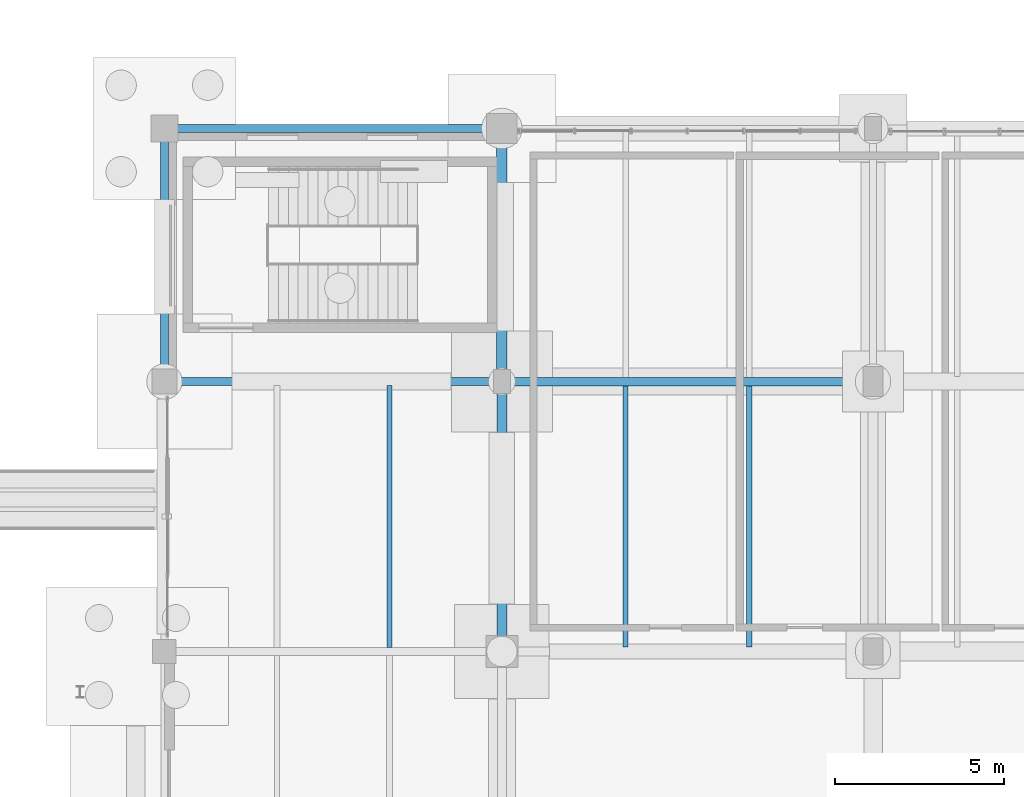
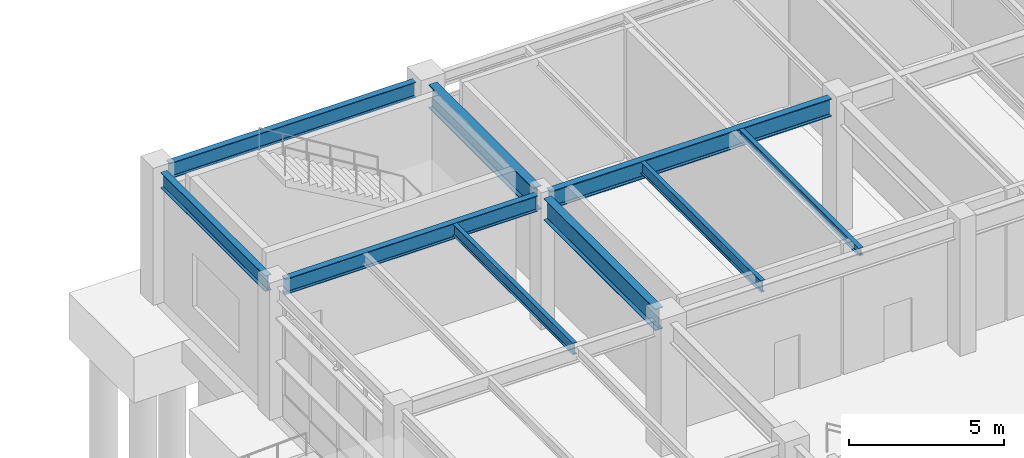
# One storey, part 37 of 203: 9 beams.
"""IFC4 building model written with IfcOpenShell, lengths in metres."""

from ifc_helpers import new_model, si_unit, direction, frame, origin, origin_2d, place, context, subcontext, project, spatial, i_section, extrude, material, material_profile, profile_set, type_object, element, save


model = new_model("IFC4")

# Units and contexts
model_context = context("Model", 3, precision=1e-05, world=origin(), true_north=direction((0.0, 1.0)))
body_context = subcontext(model_context, "Body", "Model", "MODEL_VIEW")
ifc_project = project(units=[si_unit("LENGTHUNIT", "METRE"), si_unit("AREAUNIT", "SQUARE_METRE"), si_unit("VOLUMEUNIT", "CUBIC_METRE"), si_unit("PLANEANGLEUNIT", "RADIAN"), si_unit("MASSUNIT", "GRAM", prefix="KILO"), si_unit("THERMODYNAMICTEMPERATUREUNIT", "KELVIN"), si_unit("POWERUNIT", "WATT")], contexts=[model_context])

# Site, building, storey
site_placement = place(None, origin())
site = spatial("IfcSite", under=ifc_project, at=site_placement, CompositionType="ELEMENT")
building_placement = place(site_placement, origin())
building = spatial("IfcBuilding", under=site, at=building_placement, Name="Tepalcoro Natatorium and Aquatics Centre", CompositionType="ELEMENT")
storey_placement = place(building_placement, origin())
storey = spatial("IfcBuildingStorey", under=building, at=storey_placement, Name="L00", CompositionType="ELEMENT", Elevation=0.0)

# Beams
ifc_material = material(Name="Steel ASTM A992 Grade 50 (Fy 345 MPa)", Category="steel")
ifc_material_profile_1 = material_profile(ifc_material, i_section(OverallWidth=0.22998046875, OverallDepth=0.616943359375, WebThickness=0.012939453125, FlangeThickness=0.02197265625, FilletRadius=0.013916015625, at=origin_2d()), Name="W24X94")
ifc_profile_set_1 = profile_set([ifc_material_profile_1], Name="Steel ASTM A992 Grade 50 (Fy 345 MPa)")
beam_type_1 = type_object("IfcBeamType", Name="BM_W24x94", PredefinedType="BEAM", material=ifc_profile_set_1)
beam_1_placement = place(storey_placement, frame((0.360107421875, 44.0, 4.83642578125), z_axis=(1.0, 0.0, 0.0), x_axis=(0.0, 1.0, 0.0)))
element("IfcBeam", 1, at=beam_1_placement, inside=storey, type_object=beam_type_1, Name="V3 L00 Grid Girder X", PredefinedType="BEAM", context=body_context, shape_type="SweptSolid", body=[
    extrude(i_section(OverallWidth=0.22998046875, OverallDepth=0.616943359375, WebThickness=0.012939453125, FlangeThickness=0.02197265625, FilletRadius=0.013916015625, at=origin_2d()), origin(), (0.0, 0.0, 1.0), 9.40478515625),
])
ifc_material_profile_2 = material_profile(ifc_material, i_section(OverallWidth=0.25390625, OverallDepth=0.700927734375, WebThickness=0.014892578125, FlangeThickness=0.028076171875, FilletRadius=0.013916015625, at=origin_2d()), Name="W27X129")
ifc_profile_set_2 = profile_set([ifc_material_profile_2], Name="Steel ASTM A992 Grade 50 (Fy 345 MPa)")
beam_type_2 = type_object("IfcBeamType", Name="BM_W27x129", PredefinedType="BEAM", material=ifc_profile_set_2)
beam_2_placement = place(storey_placement, frame((10.235107421875, 44.0, 4.79443359375), z_axis=(1.0, 0.0, 0.0), x_axis=(0.0, 1.0, 0.0)))
element("IfcBeam", 2, at=beam_2_placement, inside=storey, type_object=beam_type_2, Name="V3 L00 Grid Girder X", PredefinedType="BEAM", context=body_context, shape_type="SweptSolid", body=[
    extrude(i_section(OverallWidth=0.25390625, OverallDepth=0.700927734375, WebThickness=0.014892578125, FlangeThickness=0.028076171875, FilletRadius=0.013916015625, at=origin_2d()), origin(), (0.0, 0.0, 1.0), 10.47998046875),
])
ifc_material_profile_3 = material_profile(ifc_material, i_section(OverallWidth=0.2919921875, OverallDepth=0.85888671875, WebThickness=0.01708984375, FlangeThickness=0.031005859375, FilletRadius=0.013916015625, at=origin_2d()), Name="W33X169")
ifc_profile_set_3 = profile_set([ifc_material_profile_3], Name="Steel ASTM A992 Grade 50 (Fy 345 MPa)")
beam_type_3 = type_object("IfcBeamType", Name="BM_W33x169", PredefinedType="BEAM", material=ifc_profile_set_3)
beam_3_placement = place(storey_placement, frame((10.0, 36.4599609375, 4.715576171875), z_axis=(0.0, 1.0, 0.0), x_axis=(-1.0, 0.0, 0.0)))
element("IfcBeam", 3, at=beam_3_placement, inside=storey, type_object=beam_type_3, Name="V3 L00 Grid Girder Y", PredefinedType="BEAM", context=body_context, shape_type="SweptSolid", body=[
    extrude(i_section(OverallWidth=0.2919921875, OverallDepth=0.85888671875, WebThickness=0.01708984375, FlangeThickness=0.031005859375, FilletRadius=0.013916015625, at=origin_2d()), origin(), (0.0, 0.0, 1.0), 7.205078125),
])
ifc_material_profile_4 = material_profile(ifc_material, i_section(OverallWidth=0.31005859375, OverallDepth=0.931884765625, WebThickness=0.02099609375, FlangeThickness=0.034912109375, FilletRadius=0.013916015625, at=origin_2d()), Name="W36X210")
ifc_profile_set_4 = profile_set([ifc_material_profile_4], Name="Steel ASTM A992 Grade 50 (Fy 345 MPa)")
beam_type_4 = type_object("IfcBeamType", Name="BM_W36x210", PredefinedType="BEAM", material=ifc_profile_set_4)
beam_4_placement = place(storey_placement, frame((10.0, 44.3349609375, 4.678955078125), z_axis=(0.0, 1.0, 0.0), x_axis=(-1.0, 0.0, 0.0)))
element("IfcBeam", 4, at=beam_4_placement, inside=storey, type_object=beam_type_4, Name="V3 L00 Grid Girder Y", PredefinedType="BEAM", context=body_context, shape_type="SweptSolid", body=[
    extrude(i_section(OverallWidth=0.31005859375, OverallDepth=0.931884765625, WebThickness=0.02099609375, FlangeThickness=0.034912109375, FilletRadius=0.013916015625, at=origin_2d()), origin(), (0.0, 0.0, 1.0), 6.72998046875),
])
ifc_material_profile_5 = material_profile(ifc_material, i_section(OverallWidth=0.1650390625, OverallDepth=0.31005859375, WebThickness=0.006103515625, FlangeThickness=0.010009765625, FilletRadius=0.013916015625, at=origin_2d()), Name="W12X26")
ifc_profile_set_5 = profile_set([ifc_material_profile_5], Name="Steel ASTM A992 Grade 50 (Fy 345 MPa)")
beam_type_5 = type_object("IfcBeamType", Name="JS_W12x26", PredefinedType="JOIST", material=ifc_profile_set_5)
beam_5_placement = place(storey_placement, frame((17.333251953125, 36.126953125, 4.989990234375), z_axis=(0.0, 1.0, 0.0), x_axis=(-1.0, 0.0, 0.0)))
element("IfcBeam", 5, at=beam_5_placement, inside=storey, type_object=beam_type_5, Name="V3 L00 Floor Joist", PredefinedType="JOIST", context=body_context, shape_type="SweptSolid", body=[
    extrude(i_section(OverallWidth=0.1650390625, OverallDepth=0.31005859375, WebThickness=0.006103515625, FlangeThickness=0.010009765625, FilletRadius=0.013916015625, at=origin_2d()), origin(), (0.0, 0.0, 1.0), 7.74609375),
])
ifc_material_profile_6 = material_profile(ifc_material, i_section(OverallWidth=0.153076171875, OverallDepth=0.455078125, WebThickness=0.008056640625, FlangeThickness=0.012939453125, FilletRadius=0.013916015625, at=origin_2d()), Name="W18X40")
ifc_profile_set_6 = profile_set([ifc_material_profile_6], Name="Steel ASTM A992 Grade 50 (Fy 345 MPa)")
beam_type_6 = type_object("IfcBeamType", Name="JS_W18x40", PredefinedType="JOIST", material=ifc_profile_set_6)
beam_6_placement = place(storey_placement, frame((6.666748046875, 36.114013671875, 4.91748046875), z_axis=(0.0, 1.0, 0.0), x_axis=(-1.0, 0.0, 0.0)))
element("IfcBeam", 6, at=beam_6_placement, inside=storey, type_object=beam_type_6, Name="V3 L00 Floor Joist", PredefinedType="JOIST", context=body_context, shape_type="SweptSolid", body=[
    extrude(i_section(OverallWidth=0.153076171875, OverallDepth=0.455078125, WebThickness=0.008056640625, FlangeThickness=0.012939453125, FilletRadius=0.013916015625, at=origin_2d()), origin(), (0.0, 0.0, 1.0), 7.77099609375),
])
beam_7_placement = place(storey_placement, frame((13.666748046875, 36.126953125, 4.91748046875), z_axis=(0.0, 1.0, 0.0), x_axis=(-1.0, 0.0, 0.0)))
element("IfcBeam", 7, at=beam_7_placement, inside=storey, type_object=beam_type_6, Name="V3 L00 Floor Joist", PredefinedType="JOIST", context=body_context, shape_type="SweptSolid", body=[
    extrude(i_section(OverallWidth=0.153076171875, OverallDepth=0.455078125, WebThickness=0.008056640625, FlangeThickness=0.012939453125, FilletRadius=0.013916015625, at=origin_2d()), origin(), (0.0, 0.0, 1.0), 7.74609375),
])
ifc_material_profile_7 = material_profile(ifc_material, i_section(OverallWidth=0.22900390625, OverallDepth=0.612060546875, WebThickness=0.011962890625, FlangeThickness=0.02001953125, FilletRadius=0.013916015625, at=origin_2d()), Name="W24X84")
ifc_profile_set_7 = profile_set([ifc_material_profile_7], Name="Steel ASTM A992 Grade 50 (Fy 345 MPa)")
beam_type_7 = type_object("IfcBeamType", Name="SP_W24x84", PredefinedType="SPANDREL", material=ifc_profile_set_7)
beam_8_placement = place(storey_placement, frame((0.385009765625, 51.5, 4.839111328125), z_axis=(1.0, 0.0, 0.0), x_axis=(0.0, 1.0, 0.0)))
element("IfcBeam", 8, at=beam_8_placement, inside=storey, type_object=beam_type_7, Name="V3 L00 Grid Girder X", PredefinedType="SPANDREL", context=body_context, shape_type="SweptSolid", body=[
    extrude(i_section(OverallWidth=0.22900390625, OverallDepth=0.612060546875, WebThickness=0.011962890625, FlangeThickness=0.02001953125, FilletRadius=0.013916015625, at=origin_2d()), origin(), (0.0, 0.0, 1.0), 9.179931640625),
])
beam_9_placement = place(storey_placement, frame((0.0, 44.360107421875, 4.839111328125), z_axis=(0.0, 1.0, 0.0), x_axis=(-1.0, 0.0, 0.0)))
element("IfcBeam", 9, at=beam_9_placement, inside=storey, type_object=beam_type_7, Name="V3 L00 Grid Girder Y", PredefinedType="SPANDREL", context=body_context, shape_type="SweptSolid", body=[
    extrude(i_section(OverallWidth=0.22900390625, OverallDepth=0.612060546875, WebThickness=0.011962890625, FlangeThickness=0.02001953125, FilletRadius=0.013916015625, at=origin_2d()), origin(), (0.0, 0.0, 1.0), 6.7548828125),
])

save(model, "model.ifc")
